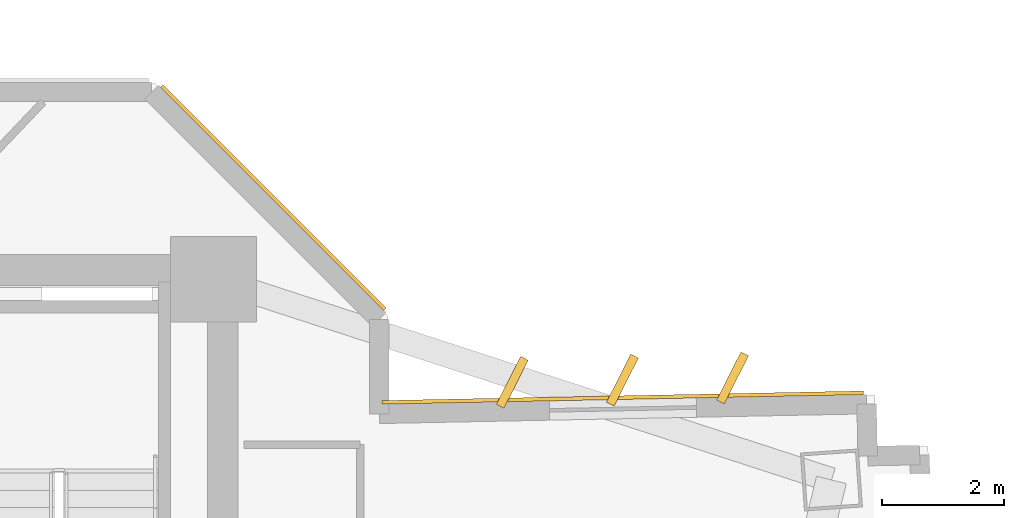
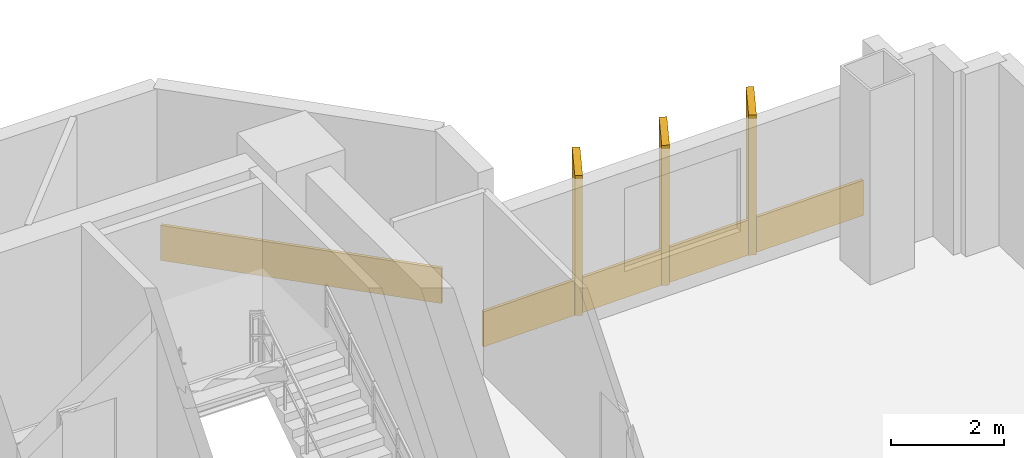
# One storey, part 15 of 15: 5 coverings.
"""IFC4 building model written with IfcOpenShell, lengths in metres."""

import ifcopenshell
import ifcopenshell.guid

model = None  # the IFC model being written
_history = None  # IfcOwnerHistory: only IFC2X3 demands one
_inside = {}  # id of a spatial element -> (the spatial element, [elements in it])
_under = {}  # id of a project, library or spatial element -> (it, [spatial elements below it])
_declared = {}  # id of a project -> (the project, [libraries it declares])
_typed = {}  # id of a type object -> (the type object, [elements of that type])
_made_of = {}  # id of a material, layer set ... -> (it, [elements and type objects made of it])


def new_model(schema):
    """Start an empty IFC model of exactly this schema.

    Asked for "IFC4X3", IfcOpenShell would pick the latest addendum, in which some entities
    have other attributes; the version numbers below select the first issue.
    IFC2X3 requires an IfcOwnerHistory on every rooted entity: one is made here for all.
    """
    global model, _history
    if schema == "IFC4X3":
        model = ifcopenshell.file(schema_version=(4, 3, 0, 0))
    else:
        model = ifcopenshell.file(schema=schema)
    _inside.clear()
    _under.clear()
    _declared.clear()
    _typed.clear()
    _made_of.clear()
    _history = None
    if model.schema == "IFC2X3":
        org = make("IfcOrganization", Name="unknown")
        user = make(
            "IfcPersonAndOrganization",
            ThePerson=make("IfcPerson", FamilyName="unknown"),
            TheOrganization=org,
        )
        app = make(
            "IfcApplication",
            ApplicationDeveloper=org,
            Version="unknown",
            ApplicationFullName="unknown",
            ApplicationIdentifier="unknown",
        )
        _history = make(
            "IfcOwnerHistory",
            OwningUser=user,
            OwningApplication=app,
            ChangeAction="ADDED",
            CreationDate=0,
        )
    return model


def make(cls, **values):
    """One entity of the class cls with the attributes given. An attribute that is None is left unset."""
    return model.create_entity(
        cls, **{name: value for name, value in values.items() if value is not None}
    )


def rooted(cls, **values):
    """An entity with a GlobalId (a new one), such as an element, a storey or a relation."""
    return make(cls, GlobalId=ifcopenshell.guid.new(), OwnerHistory=_history, **values)


def si_unit(unit_type, name, prefix=None):
    """IfcSIUnit, for example si_unit("LENGTHUNIT", "METRE", prefix="MILLI")."""
    return make("IfcSIUnit", UnitType=unit_type, Prefix=prefix, Name=name)


def assignment(units):
    """IfcUnitAssignment: the units of a project."""
    return None if units is None else make("IfcUnitAssignment", Units=units)


def point(xyz):
    """IfcCartesianPoint."""
    return None if xyz is None else make("IfcCartesianPoint", Coordinates=xyz)


def direction(xyz):
    """IfcDirection."""
    return None if xyz is None else make("IfcDirection", DirectionRatios=xyz)


def frame(location, z_axis=None, x_axis=None):
    """IfcAxis2Placement3D, a coordinate frame: its origin and axes. An axis left out is left unset."""
    return make(
        "IfcAxis2Placement3D",
        Location=point(location),
        Axis=direction(z_axis),
        RefDirection=direction(x_axis),
    )


def frame_2d(location, x_axis=None):
    """IfcAxis2Placement2D, a coordinate frame in the plane: its origin and x axis."""
    return make(
        "IfcAxis2Placement2D", Location=point(location), RefDirection=direction(x_axis)
    )


def origin():
    """The frame at (0, 0, 0) with its axes left unset."""
    return frame((0.0, 0.0, 0.0))


def origin_2d():
    """The frame at (0, 0) in the plane with its x axis left unset."""
    return frame_2d((0.0, 0.0))


def place(relative_to, where):
    """IfcLocalPlacement: puts the frame where relative to a parent placement (None: the world)."""
    return make(
        "IfcLocalPlacement", PlacementRelTo=relative_to, RelativePlacement=where
    )


def context(
    kind, dimensions, precision=None, world=None, true_north=None, identifier=None
):
    """IfcGeometricRepresentationContext, for example the 3D "Model" context."""
    return make(
        "IfcGeometricRepresentationContext",
        ContextIdentifier=identifier,
        ContextType=kind,
        CoordinateSpaceDimension=dimensions,
        Precision=precision,
        WorldCoordinateSystem=world,
        TrueNorth=true_north,
    )


def subcontext(parent, identifier, kind, view, scale=None):
    """IfcGeometricRepresentationSubContext, for example "Body" below "Model"."""
    return make(
        "IfcGeometricRepresentationSubContext",
        ContextIdentifier=identifier,
        ContextType=kind,
        ParentContext=parent,
        TargetScale=scale,
        TargetView=view,
    )


def project(units=None, contexts=None):
    """IfcProject with its units and contexts."""
    return rooted(
        "IfcProject",
        Name="project",
        RepresentationContexts=contexts,
        UnitsInContext=assignment(units),
    )


def spatial(cls, under=None, at=None, **own):
    """A site, building, storey or space (cls), placed at a placement, below another one or the project."""
    s = rooted(cls, ObjectPlacement=at, **own)
    if under is not None:
        _under.setdefault(under.id(), (under, []))[1].append(s)
    return s


def profile(cls, at=None, kind="AREA", **sizes):
    """A parametric profile (cls). Its sizes go by their IFC names, for example OverallWidth=200.0."""
    return make(cls, ProfileType=kind, Position=at, **sizes)


def rectangle(**sizes):
    """IfcRectangleProfileDef."""
    return profile("IfcRectangleProfileDef", **sizes)


def extrude(swept, where, along, depth):
    """IfcExtrudedAreaSolid: the profile swept, set in the frame where, extruded along a direction by depth."""
    return make(
        "IfcExtrudedAreaSolid",
        SweptArea=swept,
        Position=where,
        ExtrudedDirection=direction(along),
        Depth=depth,
    )


def shape(context_of_items, identifier, shape_type, items):
    """IfcShapeRepresentation: the items that make up one representation, for example the "Body"."""
    return make(
        "IfcShapeRepresentation",
        ContextOfItems=context_of_items,
        RepresentationIdentifier=identifier,
        RepresentationType=shape_type,
        Items=items,
    )


def source(mapping_origin, context_of_items, identifier, shape_type, items):
    """IfcRepresentationMap: a shape defined once, which mapped items show again and again."""
    return make(
        "IfcRepresentationMap",
        MappingOrigin=mapping_origin,
        MappedRepresentation=shape(context_of_items, identifier, shape_type, items),
    )


def transform(
    local_origin,
    x_axis=None,
    y_axis=None,
    z_axis=None,
    scale=None,
    scale2=None,
    scale3=None,
    uniform=True,
):
    """IfcCartesianTransformationOperator3D, or its non-uniform kind. x_axis, y_axis, z_axis: its Axis1, 2, 3."""
    if uniform:
        return make(
            "IfcCartesianTransformationOperator3D",
            Axis1=direction(x_axis),
            Axis2=direction(y_axis),
            LocalOrigin=point(local_origin),
            Scale=scale,
            Axis3=direction(z_axis),
        )
    return make(
        "IfcCartesianTransformationOperator3DnonUniform",
        Axis1=direction(x_axis),
        Axis2=direction(y_axis),
        LocalOrigin=point(local_origin),
        Scale=scale,
        Axis3=direction(z_axis),
        Scale2=scale2,
        Scale3=scale3,
    )


def mapped(mapping_source, mapping_target):
    """IfcMappedItem: shows the shape of a source again, moved by a transform."""
    return make(
        "IfcMappedItem", MappingSource=mapping_source, MappingTarget=mapping_target
    )


def material(Name=None, Category=None):
    """IfcMaterial."""
    return make("IfcMaterial", Name=Name, Category=Category)


def layer(
    of_material, thickness, ventilated=None, Name=None, Category=None, Priority=None
):
    """IfcMaterialLayer: one layer of a wall or slab, of a material (None: an air gap)."""
    return make(
        "IfcMaterialLayer",
        Material=of_material,
        LayerThickness=thickness,
        IsVentilated=ventilated,
        Name=Name,
        Category=Category,
        Priority=Priority,
    )


def layer_set(layers, Name=None):
    """IfcMaterialLayerSet."""
    return make("IfcMaterialLayerSet", MaterialLayers=layers, LayerSetName=Name)


def made_of(thing, what):
    """Note that an element or type object is made of a material, layer set ...; save() writes the relation."""
    if what is not None:
        _made_of.setdefault(what.id(), (what, []))[1].append(thing)
    return thing


def type_object(cls, material=None, **own):
    """A type object (cls), such as IfcWallType, which elements share."""
    return made_of(rooted(cls, **own), material)


def element(
    cls,
    number,
    at=None,
    inside=None,
    cuts=None,
    type_object=None,
    material=None,
    context=None,
    identifier="Body",
    shape_type=None,
    held_by="IfcProductDefinitionShape",
    body=None,
    shapes=None,
    **own,
):
    """One element of the class cls, such as IfcWall. Its Tag is "e" and its number.

    at: its placement. inside: the storey or other place that contains it. cuts: it is an
    opening in that element (IfcRelVoidsElement). A single representation is given by context,
    identifier, shape_type and body (its items); several are given by shapes. held_by: the class
    of the entity that holds the representations. save() writes the other relations.
    """
    e = rooted(cls, Tag="e%d" % number, ObjectPlacement=at, **own)
    if body is not None:
        shapes = [shape(context, identifier, shape_type, body)]
    if shapes is not None:
        e.Representation = make(held_by, Representations=shapes)
    if inside is not None:
        _inside.setdefault(inside.id(), (inside, []))[1].append(e)
    if cuts is not None:
        rooted(
            "IfcRelVoidsElement", RelatingBuildingElement=cuts, RelatedOpeningElement=e
        )
    if type_object is not None:
        _typed.setdefault(type_object.id(), (type_object, []))[1].append(e)
    return made_of(e, material)


def aggregate(whole, parts):
    """IfcRelAggregates: a whole, such as a stair, and the parts it consists of."""
    return rooted("IfcRelAggregates", RelatingObject=whole, RelatedObjects=parts)


def save(model, path):
    """Write the relations noted so far, then the file.

    IfcRelAggregates (storeys below a building ...), IfcRelContainedInSpatialStructure (elements
    in a storey), IfcRelDefinesByType, IfcRelAssociatesMaterial and IfcRelDeclares: one each for
    every whole, place, type object, material and project.
    """
    for whole, parts in _under.values():
        aggregate(whole, parts)
    for where, things in _inside.values():
        rooted(
            "IfcRelContainedInSpatialStructure",
            RelatedElements=things,
            RelatingStructure=where,
        )
    for kind, things in _typed.values():
        rooted("IfcRelDefinesByType", RelatedObjects=things, RelatingType=kind)
    for what, things in _made_of.values():
        rooted("IfcRelAssociatesMaterial", RelatedObjects=things, RelatingMaterial=what)
    for by, libraries in _declared.values():
        rooted("IfcRelDeclares", RelatingContext=by, RelatedDefinitions=libraries)
    model.write(path)


model = new_model("IFC4")

# Units and contexts
model_context = context("Model", 3, precision=1e-05, world=origin(), true_north=direction((0.0, 1.0)))
body_context = subcontext(model_context, "Body", "Model", "MODEL_VIEW")
ifc_project = project(units=[si_unit("LENGTHUNIT", "METRE"), si_unit("AREAUNIT", "SQUARE_METRE"), si_unit("VOLUMEUNIT", "CUBIC_METRE"), si_unit("PLANEANGLEUNIT", "RADIAN"), si_unit("MASSUNIT", "GRAM", prefix="KILO")], contexts=[model_context])

# Site, building, storey
site_placement = place(None, origin())
site = spatial("IfcSite", under=ifc_project, at=site_placement, CompositionType="ELEMENT")
building_placement = place(site_placement, origin())
building = spatial("IfcBuilding", under=site, at=building_placement, Name="Zahravan Cultural Tower", CompositionType="ELEMENT")
storey_placement = place(building_placement, frame((0.0, 0.0, 50.10009765625)))
storey = spatial("IfcBuildingStorey", under=building, at=storey_placement, Name="L10", CompositionType="ELEMENT", Elevation=50.10009765625)

# Coverings
ifc_material = material(Name="Terracotta ceramic cladding", Category="masonry")
ifc_layer = layer(ifc_material, 0.06005859375)
ifc_layer_set = layer_set([ifc_layer], Name="Terracotta ceramic cladding")
covering_type = type_object("IfcCoveringType", Name="COV-CLAD-TC60", PredefinedType="CLADDING", material=ifc_layer_set)
shared_shape_1 = source(origin(), body_context, "Body", "SweptSolid", [
    extrude(rectangle(XDim=5.157958984375, YDim=0.06005859375, at=origin_2d()), origin(), (0.0, 0.0, 1.0), 0.760009765625),
])
covering_1_placement = place(storey_placement, frame((51.331787109375, 37.53173828125, 0.02001953125), z_axis=(0.0, 0.0, 1.0), x_axis=(0.707106781187, -0.707106781187, 0.0)))
element("IfcCovering", 1, at=covering_1_placement, inside=storey, type_object=covering_type, Name="L10 Terracotta Spandrel Cladding 53", PredefinedType="CLADDING", context=body_context, shape_type="MappedRepresentation", body=[
    mapped(shared_shape_1, transform((0.0, 0.0, 0.0), x_axis=(1.0, 0.0, 0.0), y_axis=(0.0, 1.0, 0.0), z_axis=(0.0, 0.0, 1.0), scale=1.0)),
])
shared_shape_2 = source(origin(), body_context, "Body", "SweptSolid", [
    extrude(rectangle(XDim=7.864013671875, YDim=0.06005859375, at=origin_2d()), origin(), (0.0, 0.0, 1.0), 0.760009765625),
])
covering_2_placement = place(storey_placement, frame((57.03759765625, 34.264892578125, 0.02001953125), z_axis=(0.0, 0.0, 1.0), x_axis=(0.999802066131, 0.019895440708, 0.0)))
element("IfcCovering", 2, at=covering_2_placement, inside=storey, type_object=covering_type, Name="L10 Terracotta Spandrel Cladding 01", PredefinedType="CLADDING", context=body_context, shape_type="MappedRepresentation", body=[
    mapped(shared_shape_2, transform((0.0, 0.0, 0.0), x_axis=(1.0, 0.0, 0.0), y_axis=(0.0, 1.0, 0.0), z_axis=(0.0, 0.0, 1.0), scale=1.0)),
])
shared_shape_3 = source(origin(), body_context, "Body", "SweptSolid", [
    extrude(rectangle(XDim=0.8798828125, YDim=0.139892578125, at=origin_2d()), origin(), (0.0, 0.0, 1.0), 3.030029296875),
])
for number, where, z_axis, x_axis, name in (
    (3, (55.232421875, 34.51416015625, 0.0498046875), (0.0, 0.0, 1.0), (0.451812006981, 0.892113171267, 0.0), "L10 Herringbone Terracotta Fin 01"),
    (4, (57.031982421875, 34.5498046875, 0.0498046875), (0.0, 0.0, 1.0), (0.451812006981, 0.892113171267, 0.0), "L10 Herringbone Terracotta Fin 02"),
    (5, (58.83154296875, 34.585693359375, 0.0498046875), (0.0, 0.0, 1.0), (0.451812006981, 0.892113171267, 0.0), "L10 Herringbone Terracotta Fin 03"),
):
    element("IfcCovering", number, at=place(storey_placement, frame(where, z_axis=z_axis, x_axis=x_axis)), inside=storey, type_object=covering_type, Name=name, PredefinedType="CLADDING", context=body_context, shape_type="MappedRepresentation", body=[
        mapped(shared_shape_3, transform((0.0, 0.0, 0.0), x_axis=(1.0, 0.0, 0.0), y_axis=(0.0, 1.0, 0.0), z_axis=(0.0, 0.0, 1.0), scale=1.0)),
    ])

save(model, "model.ifc")
